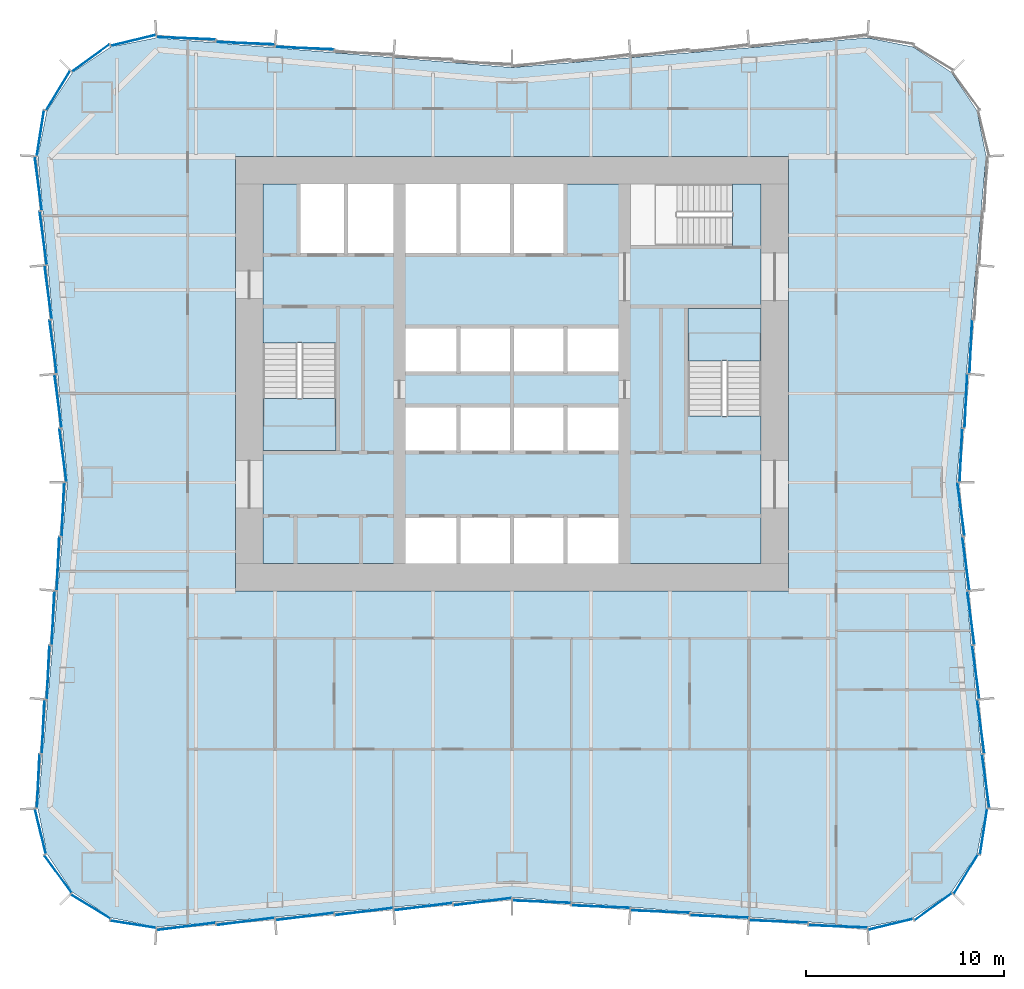
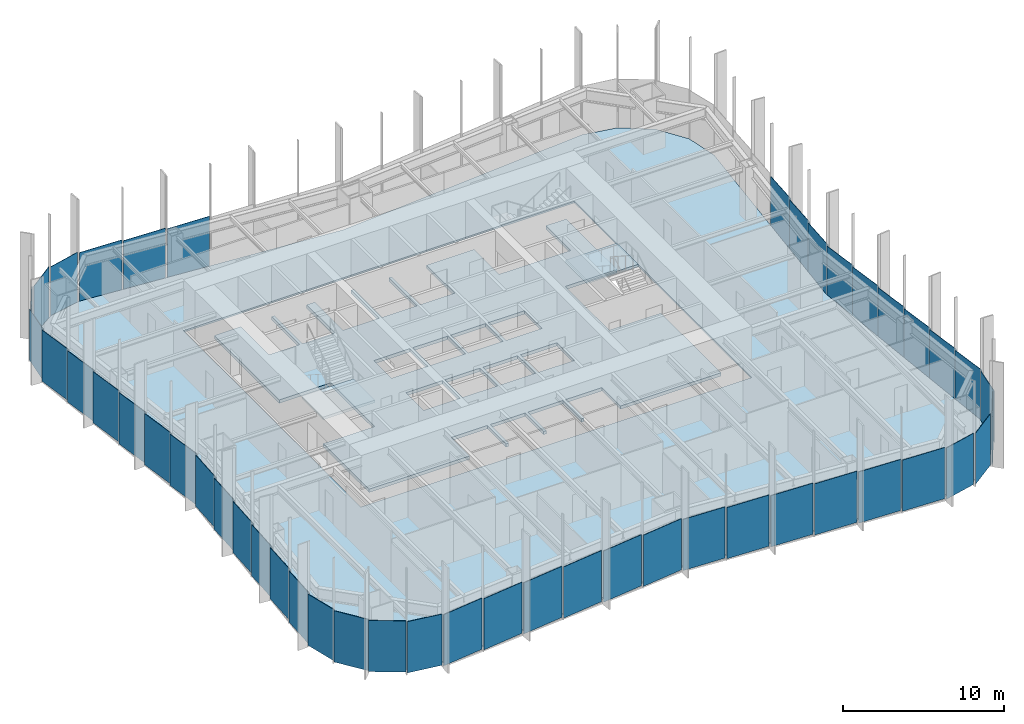
# One storey, part 8 of 13: 48 plates, 4 slabs, 9 elements without a shape of their own.
"""IFC4 building model written with IfcOpenShell, lengths in metres."""

from ifc_helpers import new_model, si_unit, direction, frame, origin, origin_2d, place, context, subcontext, project, spatial, polyline, rectangle, outline, extrude, material, layer, layer_set, type_object, element, aggregate, save


model = new_model("IFC4")

# Units and contexts
model_context = context("Model", 3, precision=1e-05, world=origin(), true_north=direction((0.0, 1.0)))
body_context = subcontext(model_context, "Body", "Model", "MODEL_VIEW")
ifc_project = project(units=[si_unit("LENGTHUNIT", "METRE"), si_unit("AREAUNIT", "SQUARE_METRE"), si_unit("VOLUMEUNIT", "CUBIC_METRE"), si_unit("PLANEANGLEUNIT", "RADIAN"), si_unit("MASSUNIT", "GRAM", prefix="KILO")], contexts=[model_context])

# Site, building, storey
site_placement = place(None, origin())
site = spatial("IfcSite", under=ifc_project, at=site_placement, CompositionType="ELEMENT")
building_placement = place(site_placement, origin())
building = spatial("IfcBuilding", under=site, at=building_placement, Name="Verdant Reach Tower", CompositionType="ELEMENT")
storey_placement = place(building_placement, frame((0.0, 0.0, 50.0)))
storey = spatial("IfcBuildingStorey", under=building, at=storey_placement, Name="L11", CompositionType="ELEMENT", Elevation=50.0)

# Stair, slab
ifc_material_1 = material(Name="Concrete C40/50", Category="concrete")
stair_type = type_object("IfcStairType", Name="CO-STAIR", PredefinedType="HALF_TURN_STAIR", material=ifc_material_1)
stair_1_placement = place(storey_placement, origin())
stair_1 = element("IfcStair", 1, at=stair_1_placement, inside=storey, type_object=stair_type, Name="L11 Exit stair 1", PredefinedType="HALF_TURN_STAIR")
ifc_layer_1 = layer(ifc_material_1, 0.199951171875)
ifc_layer_set_1 = layer_set([ifc_layer_1], Name="CO-STAIR-LANDING")
slab_type_1 = type_object("IfcSlabType", Name="CO-STAIR-LANDING", PredefinedType="LANDING", material=ifc_layer_set_1)
slab_1_placement = place(storey_placement, frame((0.0, 0.0, 1.800048828125)))
slab_1 = element("IfcSlab", 2, at=slab_1_placement, type_object=slab_type_1, Name="ST-1 landing 1", PredefinedType="LANDING", context=body_context, shape_type="SweptSolid", body=[
    extrude(outline(polyline([(-12.60009765625, 26.75), (-12.60009765625, 24.10009765625), (-8.89990234375, 24.10009765625), (-8.89990234375, 26.75), (-12.60009765625, 26.75)])), origin(), (0.0, 0.0, 1.0), 0.199951171875),
])
aggregate(stair_1, [slab_1])

stair_2_placement = place(storey_placement, origin())
stair_2 = element("IfcStair", 3, at=stair_2_placement, inside=storey, type_object=stair_type, Name="L11 Exit stair 2", PredefinedType="HALF_TURN_STAIR")
slab_2_placement = place(storey_placement, frame((0.0, 0.0, 1.800048828125)))
slab_2 = element("IfcSlab", 4, at=slab_2_placement, type_object=slab_type_1, Name="ST-2 landing 1", PredefinedType="LANDING", context=body_context, shape_type="SweptSolid", body=[
    extrude(outline(polyline([(12.60009765625, 28.64990234375), (12.60009765625, 31.300048828125), (8.89990234375, 31.300048828125), (8.89990234375, 28.64990234375), (12.60009765625, 28.64990234375)])), origin(), (0.0, 0.0, 1.0), 0.199951171875),
])
aggregate(stair_2, [slab_2])

# Curtain wall, plates
ifc_material_2 = material(Name="Anodised aluminium", Category="aluminium")
curtain_wall_type = type_object("IfcCurtainWallType", Name="EN-CW SYSTEM Z0", PredefinedType="NOTDEFINED", material=ifc_material_2)
curtain_wall_1_placement = place(storey_placement, origin())
curtain_wall_1 = element("IfcCurtainWall", 5, at=curtain_wall_1_placement, inside=storey, type_object=curtain_wall_type, Name="Curtain wall south-east corner, L11", PredefinedType="NOTDEFINED")
ifc_material_3 = material(Name="Tinted glass with champagne spandrel", Category="glass")
ifc_layer_2 = layer(ifc_material_3, 0.031982421875)
ifc_layer_set_2 = layer_set([ifc_layer_2], Name="EN-PANEL CHAMPAGNE")
plate_type_1 = type_object("IfcPlateType", Name="EN-PANEL CHAMPAGNE", PredefinedType="CURTAIN_PANEL", material=ifc_layer_set_2)
plate_1_placement = place(storey_placement, frame((19.169921875, 0.13232421875, -0.22998046875), z_axis=(0.0, 0.0, 1.0), x_axis=(0.97166347331, 0.236368556782, 0.0)))
plate_1 = element("IfcPlate", 6, at=plate_1_placement, type_object=plate_type_1, Name="Glass panel south-east corner 1.1, L11", PredefinedType="CURTAIN_PANEL", context=body_context, shape_type="SweptSolid", body=[
    extrude(rectangle(XDim=2.318603515625, YDim=0.031982421875, at=origin_2d()), origin(), (0.0, 0.0, 1.0), 3.8798828125),
])
plate_2_placement = place(storey_placement, frame((21.32373046875, 1.025390625, -0.22998046875), z_axis=(0.0, 0.0, 1.0), x_axis=(0.807456745624, 0.589926778461, 0.0)))
plate_2 = element("IfcPlate", 7, at=plate_2_placement, type_object=plate_type_1, Name="Glass panel south-east corner 2.1, L11", PredefinedType="CURTAIN_PANEL", context=body_context, shape_type="SweptSolid", body=[
    extrude(rectangle(XDim=2.32421875, YDim=0.031982421875, at=origin_2d()), origin(), (0.0, 0.0, 1.0), 3.8798828125),
])
plate_3_placement = place(storey_placement, frame((22.974609375, 2.67626953125, -0.22998046875), z_axis=(0.0, 0.0, 1.0), x_axis=(0.520291583159, 0.853988681713, 0.0)))
plate_3 = element("IfcPlate", 8, at=plate_3_placement, type_object=plate_type_1, Name="Glass panel south-east corner 3.1, L11", PredefinedType="CURTAIN_PANEL", context=body_context, shape_type="SweptSolid", body=[
    extrude(rectangle(XDim=2.32421875, YDim=0.031982421875, at=origin_2d()), origin(), (0.0, 0.0, 1.0), 3.8798828125),
])

curtain_wall_2_placement = place(storey_placement, origin())
curtain_wall_2 = element("IfcCurtainWall", 9, at=curtain_wall_2_placement, inside=storey, type_object=curtain_wall_type, Name="Curtain wall east, L11", PredefinedType="NOTDEFINED")
plate_4_placement = place(storey_placement, frame((23.974609375, 7.376953125, -0.22998046875), z_axis=(0.0, 0.0, 1.0), x_axis=(-0.131792939527, 0.991277267514, 0.0)))
plate_4 = element("IfcPlate", 10, at=plate_4_placement, type_object=plate_type_1, Name="Glass panel east face part 1 1.1, L11", PredefinedType="CURTAIN_PANEL", context=body_context, shape_type="SweptSolid", body=[
    extrude(rectangle(XDim=2.7197265625, YDim=0.031982421875, at=origin_2d()), origin(), (0.0, 0.0, 1.0), 3.8798828125),
])
plate_5_placement = place(storey_placement, frame((22.724853515625, 23.870361328125, -0.22998046875), z_axis=(0.0, 0.0, 1.0), x_axis=(0.048901687644, 0.998803596782, 0.0)))
plate_5 = element("IfcPlate", 11, at=plate_5_placement, type_object=plate_type_1, Name="Glass panel east face part 2 1.1, L11", PredefinedType="CURTAIN_PANEL", context=body_context, shape_type="SweptSolid", body=[
    extrude(rectangle(XDim=2.6962890625, YDim=0.031982421875, at=origin_2d()), origin(), (0.0, 0.0, 1.0), 3.8798828125),
])
plate_6_placement = place(storey_placement, frame((22.974609375, 26.615966796875, -0.22998046875), z_axis=(0.0, 0.0, 1.0), x_axis=(0.04875265175, 0.998810882473, 0.0)))
plate_6 = element("IfcPlate", 12, at=plate_6_placement, type_object=plate_type_1, Name="Glass panel east face part 2 2.1, L11", PredefinedType="CURTAIN_PANEL", context=body_context, shape_type="SweptSolid", body=[
    extrude(rectangle(XDim=2.705322265625, YDim=0.031982421875, at=origin_2d()), origin(), (0.0, 0.0, 1.0), 3.8798828125),
])

curtain_wall_3_placement = place(storey_placement, origin())
curtain_wall_3 = element("IfcCurtainWall", 13, at=curtain_wall_3_placement, inside=storey, type_object=curtain_wall_type, Name="Curtain wall west, L11", PredefinedType="NOTDEFINED")
plate_7_placement = place(storey_placement, frame((-23.474609375, 32.115966796875, -0.22998046875), z_axis=(0.0, 0.0, 1.0), x_axis=(0.132160009881, -0.99122839537, 0.0)))
plate_7 = element("IfcPlate", 14, at=plate_7_placement, type_object=plate_type_1, Name="Glass panel west face part 1 3.1, L11", PredefinedType="CURTAIN_PANEL", context=body_context, shape_type="SweptSolid", body=[
    extrude(rectangle(XDim=2.705322265625, YDim=0.031982421875, at=origin_2d()), origin(), (0.0, 0.0, 1.0), 3.8798828125),
])
plate_8_placement = place(storey_placement, frame((-23.224609375, 29.365966796875, -0.22998046875), z_axis=(0.0, 0.0, 1.0), x_axis=(0.132160009881, -0.99122839537, 0.0)))
plate_8 = element("IfcPlate", 15, at=plate_8_placement, type_object=plate_type_1, Name="Glass panel west face part 1 4.1, L11", PredefinedType="CURTAIN_PANEL", context=body_context, shape_type="SweptSolid", body=[
    extrude(rectangle(XDim=2.705322265625, YDim=0.031982421875, at=origin_2d()), origin(), (0.0, 0.0, 1.0), 3.8798828125),
])
plate_9_placement = place(storey_placement, frame((-22.974609375, 26.615966796875, -0.22998046875), z_axis=(0.0, 0.0, 1.0), x_axis=(0.132160009881, -0.99122839537, 0.0)))
plate_9 = element("IfcPlate", 16, at=plate_9_placement, type_object=plate_type_1, Name="Glass panel west face part 1 5.1, L11", PredefinedType="CURTAIN_PANEL", context=body_context, shape_type="SweptSolid", body=[
    extrude(rectangle(XDim=2.705322265625, YDim=0.031982421875, at=origin_2d()), origin(), (0.0, 0.0, 1.0), 3.8798828125),
])
plate_10_placement = place(storey_placement, frame((-23.724609375, 10.134033203125, -0.22998046875), z_axis=(0.0, 0.0, 1.0), x_axis=(-0.04875265175, -0.998810882473, 0.0)))
plate_10 = element("IfcPlate", 17, at=plate_10_placement, type_object=plate_type_1, Name="Glass panel west face part 2 5.1, L11", PredefinedType="CURTAIN_PANEL", context=body_context, shape_type="SweptSolid", body=[
    extrude(rectangle(XDim=2.705322265625, YDim=0.031982421875, at=origin_2d()), origin(), (0.0, 0.0, 1.0), 3.8798828125),
])
plate_11_placement = place(storey_placement, frame((-23.974609375, 7.376953125, -0.22998046875), z_axis=(0.0, 0.0, 1.0), x_axis=(-0.048382779248, -0.998828867561, 0.0)))
plate_11 = element("IfcPlate", 18, at=plate_11_placement, type_object=plate_type_1, Name="Glass panel west face part 2 6.1, L11", PredefinedType="CURTAIN_PANEL", context=body_context, shape_type="SweptSolid", body=[
    extrude(rectangle(XDim=2.7197265625, YDim=0.031982421875, at=origin_2d()), origin(), (0.0, 0.0, 1.0), 3.8798828125),
])

curtain_wall_4_placement = place(storey_placement, origin())
curtain_wall_4 = element("IfcCurtainWall", 19, at=curtain_wall_4_placement, inside=storey, type_object=curtain_wall_type, Name="Curtain wall south-west corner, L11", PredefinedType="NOTDEFINED")
plate_12_placement = place(storey_placement, frame((-21.32373046875, 1.025390625, -0.22998046875), z_axis=(0.0, 0.0, 1.0), x_axis=(0.853988681713, -0.520291583159, 0.0)))
plate_12 = element("IfcPlate", 20, at=plate_12_placement, type_object=plate_type_1, Name="Glass panel south-west corner 3.1, L11", PredefinedType="CURTAIN_PANEL", context=body_context, shape_type="SweptSolid", body=[
    extrude(rectangle(XDim=2.32421875, YDim=0.031982421875, at=origin_2d()), origin(), (0.0, 0.0, 1.0), 3.8798828125),
])
plate_13_placement = place(storey_placement, frame((-19.169921875, 0.13232421875, -0.22998046875), z_axis=(0.0, 0.0, 1.0), x_axis=(0.98803452381, -0.154232875093, 0.0)))
plate_13 = element("IfcPlate", 21, at=plate_13_placement, type_object=plate_type_1, Name="Glass panel south-west corner 4.1, L11", PredefinedType="CURTAIN_PANEL", context=body_context, shape_type="SweptSolid", body=[
    extrude(rectangle(XDim=2.318603515625, YDim=0.031982421875, at=origin_2d()), origin(), (0.0, 0.0, 1.0), 3.8798828125),
])

curtain_wall_5_placement = place(storey_placement, origin())
curtain_wall_5 = element("IfcCurtainWall", 22, at=curtain_wall_5_placement, inside=storey, type_object=curtain_wall_type, Name="Curtain wall south, L11", PredefinedType="NOTDEFINED")
plate_14_placement = place(storey_placement, frame((-16.498779296875, 0.025146484375, -0.22998046875), z_axis=(0.0, 0.0, 1.0), x_axis=(0.992234176789, 0.124383835008, 0.0)))
plate_14 = element("IfcPlate", 23, at=plate_14_placement, type_object=plate_type_1, Name="Glass panel south face part 1 1.1, L11", PredefinedType="CURTAIN_PANEL", context=body_context, shape_type="SweptSolid", body=[
    extrude(rectangle(XDim=2.96826171875, YDim=0.031982421875, at=origin_2d()), origin(), (0.0, 0.0, 1.0), 3.8798828125),
])
plate_15_placement = place(storey_placement, frame((-13.49169921875, 0.275390625, -0.22998046875), z_axis=(0.0, 0.0, 1.0), x_axis=(0.992194034542, 0.124703639961, 0.0)))
plate_15 = element("IfcPlate", 24, at=plate_15_placement, type_object=plate_type_1, Name="Glass panel south face part 1 2.1, L11", PredefinedType="CURTAIN_PANEL", context=body_context, shape_type="SweptSolid", body=[
    extrude(rectangle(XDim=2.954345703125, YDim=0.031982421875, at=origin_2d()), origin(), (0.0, 0.0, 1.0), 3.8798828125),
])
plate_16_placement = place(storey_placement, frame((-10.49169921875, 0.525390625, -0.22998046875), z_axis=(0.0, 0.0, 1.0), x_axis=(0.992194034542, 0.124703639961, 0.0)))
plate_16 = element("IfcPlate", 25, at=plate_16_placement, type_object=plate_type_1, Name="Glass panel south face part 1 3.1, L11", PredefinedType="CURTAIN_PANEL", context=body_context, shape_type="SweptSolid", body=[
    extrude(rectangle(XDim=2.954345703125, YDim=0.031982421875, at=origin_2d()), origin(), (0.0, 0.0, 1.0), 3.8798828125),
])
plate_17_placement = place(storey_placement, frame((7.49169921875, 0.775390625, -0.22998046875), z_axis=(0.0, 0.0, 1.0), x_axis=(0.999149202059, -0.041241629766, 0.0)))
plate_17 = element("IfcPlate", 26, at=plate_17_placement, type_object=plate_type_1, Name="Glass panel south face part 2 3.1, L11", PredefinedType="CURTAIN_PANEL", context=body_context, shape_type="SweptSolid", body=[
    extrude(rectangle(XDim=2.954345703125, YDim=0.031982421875, at=origin_2d()), origin(), (0.0, 0.0, 1.0), 3.8798828125),
])
plate_18_placement = place(storey_placement, frame((10.49169921875, 0.525390625, -0.22998046875), z_axis=(0.0, 0.0, 1.0), x_axis=(0.999149202059, -0.041241629766, 0.0)))
plate_18 = element("IfcPlate", 27, at=plate_18_placement, type_object=plate_type_1, Name="Glass panel south face part 2 4.1, L11", PredefinedType="CURTAIN_PANEL", context=body_context, shape_type="SweptSolid", body=[
    extrude(rectangle(XDim=2.954345703125, YDim=0.031982421875, at=origin_2d()), origin(), (0.0, 0.0, 1.0), 3.8798828125),
])

# Plate
ifc_material_4 = material(Name="Tinted glass with copper spandrel", Category="glass")
ifc_layer_3 = layer(ifc_material_4, 0.031982421875)
ifc_layer_set_3 = layer_set([ifc_layer_3], Name="EN-PANEL COPPER")
plate_type_2 = type_object("IfcPlateType", Name="EN-PANEL COPPER", PredefinedType="CURTAIN_PANEL", material=ifc_layer_set_3)
plate_19_placement = place(storey_placement, frame((23.86767578125, 4.830078125, -0.22998046875), z_axis=(0.0, 0.0, 1.0), x_axis=(0.154210737778, 0.988037979206, 0.0)))
plate_19 = element("IfcPlate", 28, at=plate_19_placement, type_object=plate_type_2, Name="Glass panel south-east corner 4.1, L11", PredefinedType="CURTAIN_PANEL", context=body_context, shape_type="SweptSolid", body=[
    extrude(rectangle(XDim=2.31884765625, YDim=0.031982421875, at=origin_2d()), origin(), (0.0, 0.0, 1.0), 3.8798828125),
])

aggregate(curtain_wall_1, [plate_1, plate_2, plate_3, plate_19])

plate_20_placement = place(storey_placement, frame((23.724609375, 10.134033203125, -0.22998046875), z_axis=(0.0, 0.0, 1.0), x_axis=(-0.132160009881, 0.99122839537, 0.0)))
plate_20 = element("IfcPlate", 29, at=plate_20_placement, type_object=plate_type_2, Name="Glass panel east face part 1 2.1, L11", PredefinedType="CURTAIN_PANEL", context=body_context, shape_type="SweptSolid", body=[
    extrude(rectangle(XDim=2.705322265625, YDim=0.031982421875, at=origin_2d()), origin(), (0.0, 0.0, 1.0), 3.8798828125),
])

plate_21_placement = place(storey_placement, frame((23.474609375, 12.884033203125, -0.22998046875), z_axis=(0.0, 0.0, 1.0), x_axis=(-0.132160009881, 0.99122839537, 0.0)))
plate_21 = element("IfcPlate", 30, at=plate_21_placement, type_object=plate_type_2, Name="Glass panel east face part 1 3.1, L11", PredefinedType="CURTAIN_PANEL", context=body_context, shape_type="SweptSolid", body=[
    extrude(rectangle(XDim=2.705322265625, YDim=0.031982421875, at=origin_2d()), origin(), (0.0, 0.0, 1.0), 3.8798828125),
])

plate_22_placement = place(storey_placement, frame((23.224609375, 29.365966796875, -0.22998046875), z_axis=(0.0, 0.0, 1.0), x_axis=(0.04875265175, 0.998810882473, 0.0)))
plate_22 = element("IfcPlate", 31, at=plate_22_placement, type_object=plate_type_2, Name="Glass panel east face part 2 3.1, L11", PredefinedType="CURTAIN_PANEL", context=body_context, shape_type="SweptSolid", body=[
    extrude(rectangle(XDim=2.705322265625, YDim=0.031982421875, at=origin_2d()), origin(), (0.0, 0.0, 1.0), 3.8798828125),
])

# Curtain wall, plates
curtain_wall_6_placement = place(storey_placement, origin())
curtain_wall_6 = element("IfcCurtainWall", 32, at=curtain_wall_6_placement, inside=storey, type_object=curtain_wall_type, Name="Curtain wall north-west corner, L11", PredefinedType="NOTDEFINED")
plate_23_placement = place(storey_placement, frame((-19.169921875, 44.86767578125, -0.22998046875), z_axis=(0.0, 0.0, 1.0), x_axis=(-0.97166347331, -0.236368556782, 0.0)))
plate_23 = element("IfcPlate", 33, at=plate_23_placement, type_object=plate_type_2, Name="Glass panel north-west corner 1.1, L11", PredefinedType="CURTAIN_PANEL", context=body_context, shape_type="SweptSolid", body=[
    extrude(rectangle(XDim=2.318603515625, YDim=0.031982421875, at=origin_2d()), origin(), (0.0, 0.0, 1.0), 3.8798828125),
])
plate_24_placement = place(storey_placement, frame((-21.32373046875, 43.974609375, -0.22998046875), z_axis=(0.0, 0.0, 1.0), x_axis=(-0.807456745624, -0.589926778461, 0.0)))
plate_24 = element("IfcPlate", 34, at=plate_24_placement, type_object=plate_type_2, Name="Glass panel north-west corner 2.1, L11", PredefinedType="CURTAIN_PANEL", context=body_context, shape_type="SweptSolid", body=[
    extrude(rectangle(XDim=2.32421875, YDim=0.031982421875, at=origin_2d()), origin(), (0.0, 0.0, 1.0), 3.8798828125),
])

# Plate
plate_25_placement = place(storey_placement, frame((-22.724853515625, 23.870361328125, -0.22998046875), z_axis=(0.0, 0.0, 1.0), x_axis=(0.132307913434, -0.991208664229, 0.0)))
plate_25 = element("IfcPlate", 35, at=plate_25_placement, type_object=plate_type_2, Name="Glass panel west face part 1 6.1, L11", PredefinedType="CURTAIN_PANEL", context=body_context, shape_type="SweptSolid", body=[
    extrude(rectangle(XDim=2.6962890625, YDim=0.031982421875, at=origin_2d()), origin(), (0.0, 0.0, 1.0), 3.8798828125),
])

plate_26_placement = place(storey_placement, frame((-22.724853515625, 21.129638671875, -0.22998046875), z_axis=(0.0, 0.0, 1.0), x_axis=(-0.048901687644, -0.998803596782, 0.0)))
plate_26 = element("IfcPlate", 36, at=plate_26_placement, type_object=plate_type_2, Name="Glass panel west face part 2 1.1, L11", PredefinedType="CURTAIN_PANEL", context=body_context, shape_type="SweptSolid", body=[
    extrude(rectangle(XDim=2.6962890625, YDim=0.031982421875, at=origin_2d()), origin(), (0.0, 0.0, 1.0), 3.8798828125),
])

plate_27_placement = place(storey_placement, frame((-7.49169921875, 0.775390625, -0.22998046875), z_axis=(0.0, 0.0, 1.0), x_axis=(0.992194034542, 0.124703639961, 0.0)))
plate_27 = element("IfcPlate", 37, at=plate_27_placement, type_object=plate_type_2, Name="Glass panel south face part 1 4.1, L11", PredefinedType="CURTAIN_PANEL", context=body_context, shape_type="SweptSolid", body=[
    extrude(rectangle(XDim=2.954345703125, YDim=0.031982421875, at=origin_2d()), origin(), (0.0, 0.0, 1.0), 3.8798828125),
])

plate_28_placement = place(storey_placement, frame((-4.49169921875, 1.025390625, -0.22998046875), z_axis=(0.0, 0.0, 1.0), x_axis=(0.992194034542, 0.124703639961, 0.0)))
plate_28 = element("IfcPlate", 38, at=plate_28_placement, type_object=plate_type_2, Name="Glass panel south face part 1 5.1, L11", PredefinedType="CURTAIN_PANEL", context=body_context, shape_type="SweptSolid", body=[
    extrude(rectangle(XDim=2.954345703125, YDim=0.031982421875, at=origin_2d()), origin(), (0.0, 0.0, 1.0), 3.8798828125),
])

plate_29_placement = place(storey_placement, frame((13.49169921875, 0.275390625, -0.22998046875), z_axis=(0.0, 0.0, 1.0), x_axis=(0.999149202059, -0.041241629766, 0.0)))
plate_29 = element("IfcPlate", 39, at=plate_29_placement, type_object=plate_type_2, Name="Glass panel south face part 2 5.1, L11", PredefinedType="CURTAIN_PANEL", context=body_context, shape_type="SweptSolid", body=[
    extrude(rectangle(XDim=2.954345703125, YDim=0.031982421875, at=origin_2d()), origin(), (0.0, 0.0, 1.0), 3.8798828125),
])

plate_30_placement = place(storey_placement, frame((16.498779296875, 0.025146484375, -0.22998046875), z_axis=(0.0, 0.0, 1.0), x_axis=(0.999162442933, -0.040919587398, 0.0)))
plate_30 = element("IfcPlate", 40, at=plate_30_placement, type_object=plate_type_2, Name="Glass panel south face part 2 6.1, L11", PredefinedType="CURTAIN_PANEL", context=body_context, shape_type="SweptSolid", body=[
    extrude(rectangle(XDim=2.96826171875, YDim=0.031982421875, at=origin_2d()), origin(), (0.0, 0.0, 1.0), 3.8798828125),
])

ifc_material_5 = material(Name="Tinted glass with dark bronze spandrel", Category="glass")
ifc_layer_4 = layer(ifc_material_5, 0.031982421875)
ifc_layer_set_4 = layer_set([ifc_layer_4], Name="EN-PANEL DARK")
plate_type_3 = type_object("IfcPlateType", Name="EN-PANEL DARK", PredefinedType="CURTAIN_PANEL", material=ifc_layer_set_4)
plate_31_placement = place(storey_placement, frame((23.224609375, 15.634033203125, -0.22998046875), z_axis=(0.0, 0.0, 1.0), x_axis=(-0.132160009881, 0.99122839537, 0.0)))
plate_31 = element("IfcPlate", 41, at=plate_31_placement, type_object=plate_type_3, Name="Glass panel east face part 1 4.1, L11", PredefinedType="CURTAIN_PANEL", context=body_context, shape_type="SweptSolid", body=[
    extrude(rectangle(XDim=2.705322265625, YDim=0.031982421875, at=origin_2d()), origin(), (0.0, 0.0, 1.0), 3.8798828125),
])

plate_32_placement = place(storey_placement, frame((22.974609375, 18.384033203125, -0.22998046875), z_axis=(0.0, 0.0, 1.0), x_axis=(-0.132160009881, 0.99122839537, 0.0)))
plate_32 = element("IfcPlate", 42, at=plate_32_placement, type_object=plate_type_3, Name="Glass panel east face part 1 5.1, L11", PredefinedType="CURTAIN_PANEL", context=body_context, shape_type="SweptSolid", body=[
    extrude(rectangle(XDim=2.705322265625, YDim=0.031982421875, at=origin_2d()), origin(), (0.0, 0.0, 1.0), 3.8798828125),
])

plate_33_placement = place(storey_placement, frame((22.724853515625, 21.129638671875, -0.22998046875), z_axis=(0.0, 0.0, 1.0), x_axis=(-0.132307913434, 0.991208664229, 0.0)))
plate_33 = element("IfcPlate", 43, at=plate_33_placement, type_object=plate_type_3, Name="Glass panel east face part 1 6.1, L11", PredefinedType="CURTAIN_PANEL", context=body_context, shape_type="SweptSolid", body=[
    extrude(rectangle(XDim=2.6962890625, YDim=0.031982421875, at=origin_2d()), origin(), (0.0, 0.0, 1.0), 3.8798828125),
])

aggregate(curtain_wall_2, [plate_4, plate_20, plate_21, plate_31, plate_32, plate_33, plate_5, plate_6, plate_22])

# Curtain wall, plates
curtain_wall_7_placement = place(storey_placement, origin())
curtain_wall_7 = element("IfcCurtainWall", 44, at=curtain_wall_7_placement, inside=storey, type_object=curtain_wall_type, Name="Curtain wall north, L11", PredefinedType="NOTDEFINED")
plate_34_placement = place(storey_placement, frame((-10.49169921875, 44.474609375, -0.22998046875), z_axis=(0.0, 0.0, 1.0), x_axis=(-0.999149202059, 0.041241629766, 0.0)))
plate_34 = element("IfcPlate", 45, at=plate_34_placement, type_object=plate_type_3, Name="Glass panel north face part 2 4.1, L11", PredefinedType="CURTAIN_PANEL", context=body_context, shape_type="SweptSolid", body=[
    extrude(rectangle(XDim=2.954345703125, YDim=0.031982421875, at=origin_2d()), origin(), (0.0, 0.0, 1.0), 3.8798828125),
])
plate_35_placement = place(storey_placement, frame((-13.49169921875, 44.724609375, -0.22998046875), z_axis=(0.0, 0.0, 1.0), x_axis=(-0.999149202059, 0.041241629766, 0.0)))
plate_35 = element("IfcPlate", 46, at=plate_35_placement, type_object=plate_type_3, Name="Glass panel north face part 2 5.1, L11", PredefinedType="CURTAIN_PANEL", context=body_context, shape_type="SweptSolid", body=[
    extrude(rectangle(XDim=2.954345703125, YDim=0.031982421875, at=origin_2d()), origin(), (0.0, 0.0, 1.0), 3.8798828125),
])
plate_36_placement = place(storey_placement, frame((-16.498779296875, 44.974853515625, -0.22998046875), z_axis=(0.0, 0.0, 1.0), x_axis=(-0.999162442933, 0.040919587398, 0.0)))
plate_36 = element("IfcPlate", 47, at=plate_36_placement, type_object=plate_type_3, Name="Glass panel north face part 2 6.1, L11", PredefinedType="CURTAIN_PANEL", context=body_context, shape_type="SweptSolid", body=[
    extrude(rectangle(XDim=2.96826171875, YDim=0.031982421875, at=origin_2d()), origin(), (0.0, 0.0, 1.0), 3.8798828125),
])
aggregate(curtain_wall_7, [plate_34, plate_35, plate_36])

# Plate
plate_37_placement = place(storey_placement, frame((-22.974609375, 42.32373046875, -0.22998046875), z_axis=(0.0, 0.0, 1.0), x_axis=(-0.520291583159, -0.853988681713, 0.0)))
plate_37 = element("IfcPlate", 48, at=plate_37_placement, type_object=plate_type_3, Name="Glass panel north-west corner 3.1, L11", PredefinedType="CURTAIN_PANEL", context=body_context, shape_type="SweptSolid", body=[
    extrude(rectangle(XDim=2.32421875, YDim=0.031982421875, at=origin_2d()), origin(), (0.0, 0.0, 1.0), 3.8798828125),
])

plate_38_placement = place(storey_placement, frame((-23.86767578125, 40.169921875, -0.22998046875), z_axis=(0.0, 0.0, 1.0), x_axis=(-0.154210737778, -0.988037979206, 0.0)))
plate_38 = element("IfcPlate", 49, at=plate_38_placement, type_object=plate_type_3, Name="Glass panel north-west corner 4.1, L11", PredefinedType="CURTAIN_PANEL", context=body_context, shape_type="SweptSolid", body=[
    extrude(rectangle(XDim=2.31884765625, YDim=0.031982421875, at=origin_2d()), origin(), (0.0, 0.0, 1.0), 3.8798828125),
])

aggregate(curtain_wall_6, [plate_23, plate_24, plate_37, plate_38])

plate_39_placement = place(storey_placement, frame((-23.974609375, 37.623046875, -0.22998046875), z_axis=(0.0, 0.0, 1.0), x_axis=(0.131792939527, -0.991277267514, 0.0)))
plate_39 = element("IfcPlate", 50, at=plate_39_placement, type_object=plate_type_3, Name="Glass panel west face part 1 1.1, L11", PredefinedType="CURTAIN_PANEL", context=body_context, shape_type="SweptSolid", body=[
    extrude(rectangle(XDim=2.7197265625, YDim=0.031982421875, at=origin_2d()), origin(), (0.0, 0.0, 1.0), 3.8798828125),
])

plate_40_placement = place(storey_placement, frame((-23.724609375, 34.865966796875, -0.22998046875), z_axis=(0.0, 0.0, 1.0), x_axis=(0.132160009881, -0.99122839537, 0.0)))
plate_40 = element("IfcPlate", 51, at=plate_40_placement, type_object=plate_type_3, Name="Glass panel west face part 1 2.1, L11", PredefinedType="CURTAIN_PANEL", context=body_context, shape_type="SweptSolid", body=[
    extrude(rectangle(XDim=2.705322265625, YDim=0.031982421875, at=origin_2d()), origin(), (0.0, 0.0, 1.0), 3.8798828125),
])

plate_41_placement = place(storey_placement, frame((-22.974609375, 18.384033203125, -0.22998046875), z_axis=(0.0, 0.0, 1.0), x_axis=(-0.04875265175, -0.998810882473, 0.0)))
plate_41 = element("IfcPlate", 52, at=plate_41_placement, type_object=plate_type_3, Name="Glass panel west face part 2 2.1, L11", PredefinedType="CURTAIN_PANEL", context=body_context, shape_type="SweptSolid", body=[
    extrude(rectangle(XDim=2.705322265625, YDim=0.031982421875, at=origin_2d()), origin(), (0.0, 0.0, 1.0), 3.8798828125),
])

plate_42_placement = place(storey_placement, frame((-23.224609375, 15.634033203125, -0.22998046875), z_axis=(0.0, 0.0, 1.0), x_axis=(-0.04875265175, -0.998810882473, 0.0)))
plate_42 = element("IfcPlate", 53, at=plate_42_placement, type_object=plate_type_3, Name="Glass panel west face part 2 3.1, L11", PredefinedType="CURTAIN_PANEL", context=body_context, shape_type="SweptSolid", body=[
    extrude(rectangle(XDim=2.705322265625, YDim=0.031982421875, at=origin_2d()), origin(), (0.0, 0.0, 1.0), 3.8798828125),
])

plate_43_placement = place(storey_placement, frame((-23.474609375, 12.884033203125, -0.22998046875), z_axis=(0.0, 0.0, 1.0), x_axis=(-0.04875265175, -0.998810882473, 0.0)))
plate_43 = element("IfcPlate", 54, at=plate_43_placement, type_object=plate_type_3, Name="Glass panel west face part 2 4.1, L11", PredefinedType="CURTAIN_PANEL", context=body_context, shape_type="SweptSolid", body=[
    extrude(rectangle(XDim=2.705322265625, YDim=0.031982421875, at=origin_2d()), origin(), (0.0, 0.0, 1.0), 3.8798828125),
])

aggregate(curtain_wall_3, [plate_39, plate_40, plate_7, plate_8, plate_9, plate_25, plate_26, plate_41, plate_42, plate_43, plate_10, plate_11])

plate_44_placement = place(storey_placement, frame((-23.86767578125, 4.830078125, -0.22998046875), z_axis=(0.0, 0.0, 1.0), x_axis=(0.236346786246, -0.97166876899, 0.0)))
plate_44 = element("IfcPlate", 55, at=plate_44_placement, type_object=plate_type_3, Name="Glass panel south-west corner 1.1, L11", PredefinedType="CURTAIN_PANEL", context=body_context, shape_type="SweptSolid", body=[
    extrude(rectangle(XDim=2.31884765625, YDim=0.031982421875, at=origin_2d()), origin(), (0.0, 0.0, 1.0), 3.8798828125),
])

plate_45_placement = place(storey_placement, frame((-22.974609375, 2.67626953125, -0.22998046875), z_axis=(0.0, 0.0, 1.0), x_axis=(0.589926778461, -0.807456745624, 0.0)))
plate_45 = element("IfcPlate", 56, at=plate_45_placement, type_object=plate_type_3, Name="Glass panel south-west corner 2.1, L11", PredefinedType="CURTAIN_PANEL", context=body_context, shape_type="SweptSolid", body=[
    extrude(rectangle(XDim=2.32421875, YDim=0.031982421875, at=origin_2d()), origin(), (0.0, 0.0, 1.0), 3.8798828125),
])

aggregate(curtain_wall_4, [plate_44, plate_45, plate_12, plate_13])

plate_46_placement = place(storey_placement, frame((-1.495849609375, 1.275146484375, -0.22998046875), z_axis=(0.0, 0.0, 1.0), x_axis=(0.992179679439, 0.124817802047, 0.0)))
plate_46 = element("IfcPlate", 57, at=plate_46_placement, type_object=plate_type_3, Name="Glass panel south face part 1 6.1, L11", PredefinedType="CURTAIN_PANEL", context=body_context, shape_type="SweptSolid", body=[
    extrude(rectangle(XDim=2.946044921875, YDim=0.031982421875, at=origin_2d()), origin(), (0.0, 0.0, 1.0), 3.8798828125),
])

plate_47_placement = place(storey_placement, frame((1.495849609375, 1.275146484375, -0.22998046875), z_axis=(0.0, 0.0, 1.0), x_axis=(0.999144450138, -0.041356592674, 0.0)))
plate_47 = element("IfcPlate", 58, at=plate_47_placement, type_object=plate_type_3, Name="Glass panel south face part 2 1.1, L11", PredefinedType="CURTAIN_PANEL", context=body_context, shape_type="SweptSolid", body=[
    extrude(rectangle(XDim=2.946044921875, YDim=0.031982421875, at=origin_2d()), origin(), (0.0, 0.0, 1.0), 3.8798828125),
])

plate_48_placement = place(storey_placement, frame((4.49169921875, 1.025390625, -0.22998046875), z_axis=(0.0, 0.0, 1.0), x_axis=(0.999149202059, -0.041241629766, 0.0)))
plate_48 = element("IfcPlate", 59, at=plate_48_placement, type_object=plate_type_3, Name="Glass panel south face part 2 2.1, L11", PredefinedType="CURTAIN_PANEL", context=body_context, shape_type="SweptSolid", body=[
    extrude(rectangle(XDim=2.954345703125, YDim=0.031982421875, at=origin_2d()), origin(), (0.0, 0.0, 1.0), 3.8798828125),
])

aggregate(curtain_wall_5, [plate_14, plate_15, plate_16, plate_27, plate_28, plate_46, plate_47, plate_48, plate_17, plate_18, plate_29, plate_30])

# Slabs
ifc_material_6 = material(Name="Concrete C35/45", Category="concrete")
ifc_layer_5 = layer(ifc_material_6, 0.1298828125)
ifc_layer_set_5 = layer_set([ifc_layer_5], Name="ST-SLAB-130")
slab_type_2 = type_object("IfcSlabType", Name="ST-SLAB-130", PredefinedType="FLOOR", material=ifc_layer_set_5)
slab_3_placement = place(storey_placement, frame((0.0, 0.0, -0.1298828125)))
element("IfcSlab", 60, at=slab_3_placement, inside=storey, type_object=slab_type_2, Name="Floor slab L11", PredefinedType="FLOOR", context=body_context, shape_type="SweptSolid", body=[
    extrude(outline(polyline([(0.0, 1.5), (-18.0, 0.0), (-20.296142578125, 0.456787109375), (-22.24267578125, 1.75732421875), (-23.543212890625, 3.703857421875), (-24.0, 6.0), (-22.5, 22.5), (-24.0, 39.0), (-23.543212890625, 41.296142578125), (-22.24267578125, 43.24267578125), (-20.296142578125, 44.543212890625), (-18.0, 45.0), (0.0, 43.5), (18.0, 45.0), (20.296142578125, 44.543212890625), (22.24267578125, 43.24267578125), (23.543212890625, 41.296142578125), (24.0, 39.0), (22.5, 22.5), (24.0, 6.0), (23.543212890625, 3.703857421875), (22.24267578125, 1.75732421875), (20.296142578125, 0.456787109375), (18.0, 0.0), (0.0, 1.5)]), holes=[polyline([(14.0, 39.0), (-14.0, 39.0), (-14.0, 17.0), (14.0, 17.0), (14.0, 39.0)])]), origin(), (0.0, 0.0, 1.0), 0.1298828125),
])
ifc_layer_6 = layer(ifc_material_6, 0.25)
ifc_layer_set_6 = layer_set([ifc_layer_6], Name="ST-SLAB-250")
slab_type_3 = type_object("IfcSlabType", Name="ST-SLAB-250", PredefinedType="FLOOR", material=ifc_layer_set_6)
slab_4_placement = place(storey_placement, frame((0.0, 0.0, -0.25)))
element("IfcSlab", 61, at=slab_4_placement, inside=storey, type_object=slab_type_3, Name="Core floor slab L11", PredefinedType="FLOOR", context=body_context, shape_type="SweptSolid", body=[
    extrude(outline(polyline([(12.60009765625, 18.39990234375), (5.39990234375, 18.39990234375), (5.39990234375, 20.699951171875), (2.800048828125, 20.699951171875), (2.800048828125, 18.39990234375), (2.60009765625, 18.39990234375), (2.60009765625, 20.699951171875), (0.10009765625, 20.699951171875), (0.10009765625, 18.39990234375), (-0.10009765625, 18.39990234375), (-0.10009765625, 20.699951171875), (-2.60009765625, 20.699951171875), (-2.60009765625, 18.39990234375), (-2.800048828125, 18.39990234375), (-2.800048828125, 20.699951171875), (-5.39990234375, 20.699951171875), (-5.39990234375, 18.39990234375), (-12.60009765625, 18.39990234375), (-12.60009765625, 24.10009765625), (-8.89990234375, 24.10009765625), (-8.89990234375, 29.548095703125), (-12.60009765625, 29.548095703125), (-12.60009765625, 37.60009765625), (-10.699951171875, 37.60009765625), (-10.699951171875, 34.10009765625), (-8.5, 34.10009765625), (-8.5, 37.60009765625), (-8.300048828125, 37.60009765625), (-8.300048828125, 34.10009765625), (-6.0, 34.10009765625), (-6.0, 37.60009765625), (-5.39990234375, 37.60009765625), (-5.39990234375, 34.10009765625), (-2.800048828125, 34.10009765625), (-2.800048828125, 37.60009765625), (-2.60009765625, 37.60009765625), (-2.60009765625, 34.10009765625), (-0.10009765625, 34.10009765625), (-0.10009765625, 37.60009765625), (0.10009765625, 37.60009765625), (0.10009765625, 34.10009765625), (2.60009765625, 34.10009765625), (2.60009765625, 37.60009765625), (6.0, 37.60009765625), (6.0, 34.5), (11.14794921875, 34.5), (11.14794921875, 37.60009765625), (12.60009765625, 37.60009765625), (12.60009765625, 31.300048828125), (8.89990234375, 31.300048828125), (8.89990234375, 25.85205078125), (12.60009765625, 25.85205078125), (12.60009765625, 18.39990234375)]), holes=[polyline([(-2.800048828125, 24.10009765625), (-2.800048828125, 26.300048828125), (-5.39990234375, 26.300048828125), (-5.39990234375, 24.10009765625), (-2.800048828125, 24.10009765625)]), polyline([(-2.60009765625, 24.10009765625), (-0.10009765625, 24.10009765625), (-0.10009765625, 26.300048828125), (-2.60009765625, 26.300048828125), (-2.60009765625, 24.10009765625)]), polyline([(-2.800048828125, 28.10009765625), (-2.800048828125, 30.300048828125), (-5.39990234375, 30.300048828125), (-5.39990234375, 28.10009765625), (-2.800048828125, 28.10009765625)]), polyline([(-0.10009765625, 28.10009765625), (-0.10009765625, 30.300048828125), (-2.60009765625, 30.300048828125), (-2.60009765625, 28.10009765625), (-0.10009765625, 28.10009765625)]), polyline([(2.60009765625, 24.10009765625), (2.60009765625, 26.300048828125), (0.10009765625, 26.300048828125), (0.10009765625, 24.10009765625), (2.60009765625, 24.10009765625)]), polyline([(2.800048828125, 24.10009765625), (5.39990234375, 24.10009765625), (5.39990234375, 26.300048828125), (2.800048828125, 26.300048828125), (2.800048828125, 24.10009765625)]), polyline([(2.60009765625, 28.10009765625), (2.60009765625, 30.300048828125), (0.10009765625, 30.300048828125), (0.10009765625, 28.10009765625), (2.60009765625, 28.10009765625)]), polyline([(5.39990234375, 28.10009765625), (5.39990234375, 30.300048828125), (2.800048828125, 30.300048828125), (2.800048828125, 28.10009765625), (5.39990234375, 28.10009765625)])]), origin(), (0.0, 0.0, 1.0), 0.25),
])

save(model, "model.ifc")
